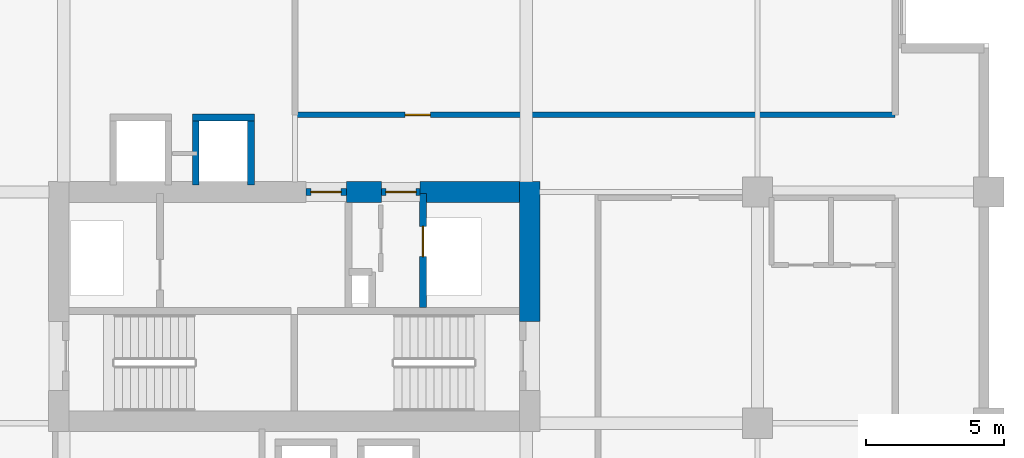
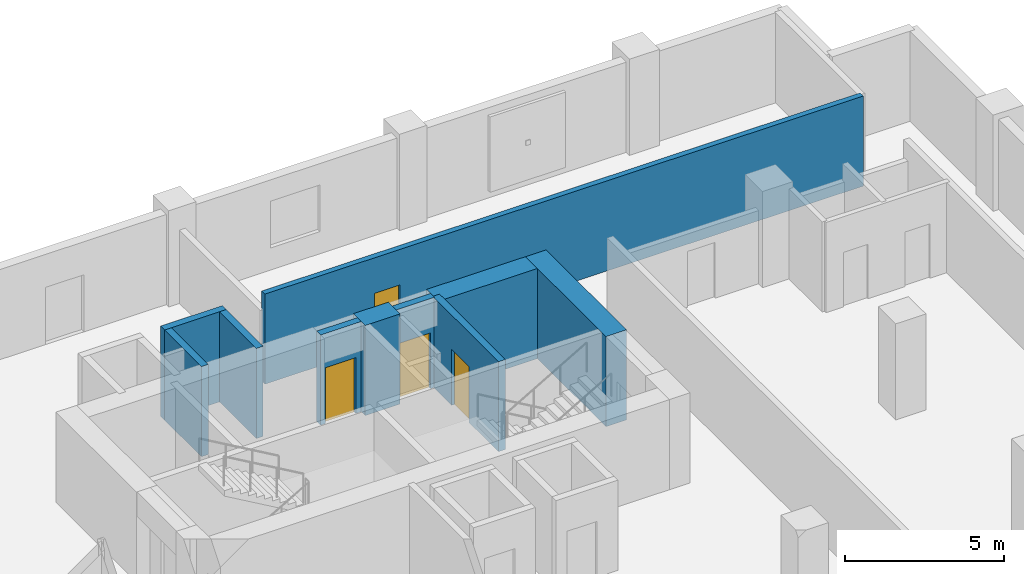
# One storey, part 9 of 20: 10 walls, 4 doors, 4 openings.
"""IFC4 building model written with IfcOpenShell, lengths in metres."""

from ifc_helpers import new_model, si_unit, direction, frame, frame_2d, origin, place, context, subcontext, project, spatial, rectangle, extrude, material, layer, layer_set, type_object, element, fill, save


model = new_model("IFC4")

# Units and contexts
model_context = context("Model", 3, precision=1e-05, world=origin(), true_north=direction((0.0, 1.0)))
body_context = subcontext(model_context, "Body", "Model", "MODEL_VIEW")
ifc_project = project(units=[si_unit("LENGTHUNIT", "METRE"), si_unit("AREAUNIT", "SQUARE_METRE"), si_unit("VOLUMEUNIT", "CUBIC_METRE"), si_unit("PLANEANGLEUNIT", "RADIAN"), si_unit("MASSUNIT", "GRAM", prefix="KILO")], contexts=[model_context])

# Site, building, storey
site_placement = place(None, origin())
site = spatial("IfcSite", under=ifc_project, at=site_placement, CompositionType="ELEMENT")
building_placement = place(site_placement, origin())
building = spatial("IfcBuilding", under=site, at=building_placement, Name="Koriwani Terraces Tower", CompositionType="ELEMENT")
storey_placement = place(building_placement, frame((0.0, 0.0, 175.39990234375)))
storey = spatial("IfcBuildingStorey", under=building, at=storey_placement, Name="L42", CompositionType="ELEMENT", Elevation=175.39990234375)

# Walls
ifc_material_1 = material(Name="Concrete C60/75", Category="concrete")
ifc_layer_1 = layer(ifc_material_1, 0.75, Name="Concrete C60/75")
ifc_layer_set_1 = layer_set([ifc_layer_1], Name="Concrete C60/75")
wall_type_1 = type_object("IfcWallType", Name="WALL_CORE_RC_750", PredefinedType="SHEAR", material=ifc_layer_set_1)
wall_1_placement = place(storey_placement, frame((58.925048828125, 20.5, 0.0), z_axis=(0.0, 0.0, 1.0), x_axis=(0.0, 1.0, 0.0)))
element("IfcWall", 1, at=wall_1_placement, inside=storey, type_object=wall_type_1, Name="L42 East Split Core Shear Wall E2", PredefinedType="SHEAR", context=body_context, shape_type="SweptSolid", body=[
    extrude(rectangle(XDim=5.074951171875, YDim=0.75, at=frame_2d((2.53759765625, 0.0))), origin(), (0.0, 0.0, 1.0), 3.47021484375),
])
wall_2_placement = place(storey_placement, frame((52.280029296875, 25.199951171875, 0.0), z_axis=(0.0, 0.0, 1.0), x_axis=(1.0, 0.0, 0.0)))
element("IfcWall", 2, at=wall_2_placement, inside=storey, type_object=wall_type_1, Name="L42 East Split Core Shear Wall N2", PredefinedType="SHEAR", context=body_context, shape_type="SweptSolid", body=[
    extrude(rectangle(XDim=1.27001953125, YDim=0.75, at=frame_2d((0.635009765625, 0.0))), origin(), (0.0, 0.0, 1.0), 3.47021484375),
])
wall_3_placement = place(storey_placement, frame((54.949951171875, 25.199951171875, 0.0), z_axis=(0.0, 0.0, 1.0), x_axis=(1.0, 0.0, 0.0)))
element("IfcWall", 3, at=wall_3_placement, inside=storey, type_object=wall_type_1, Name="L42 East Split Core Shear Wall N3", PredefinedType="SHEAR", context=body_context, shape_type="SweptSolid", body=[
    extrude(rectangle(XDim=3.60009765625, YDim=0.75, at=frame_2d((1.800048828125, 0.0))), origin(), (0.0, 0.0, 1.0), 3.47021484375),
])

# Wall, opening, door
ifc_material_2 = material(Name="Autoclaved Cellular Concrete Blockwork", Category="masonry")
ifc_layer_2 = layer(ifc_material_2, 0.199951171875, Name="Autoclaved Cellular Concrete Blockwork")
ifc_layer_set_2 = layer_set([ifc_layer_2], Name="Autoclaved Cellular Concrete Blockwork")
wall_type_2 = type_object("IfcWallType", Name="WALL_CORRIDOR_200", PredefinedType="PARTITIONING", material=ifc_layer_set_2)
wall_4_placement = place(storey_placement, frame((50.39990234375, 28.0, 0.0), z_axis=(0.0, 0.0, 1.0), x_axis=(1.0, 0.0, 0.0)))
wall_4 = element("IfcWall", 4, at=wall_4_placement, inside=storey, type_object=wall_type_2, Name="L42 Interior Wall WSEC-S-L42", PredefinedType="PARTITIONING", context=body_context, shape_type="SweptSolid", body=[
    extrude(rectangle(XDim=21.800048828125, YDim=0.199951171875, at=frame_2d((10.89990234375, 0.0))), origin(), (0.0, 0.0, 1.0), 3.47021484375),
])
opening_1_placement = place(wall_4_placement, frame((4.0, 0.0, 0.0)))
opening_1 = element("IfcOpeningElement", 5, at=opening_1_placement, cuts=wall_4, Name="Opening D-06", PredefinedType="OPENING", context=body_context, shape_type="SweptSolid", body=[
    extrude(rectangle(XDim=0.919921875, YDim=2.10009765625, at=frame_2d((0.4599609375, 1.050048828125))), frame((0.0, 0.10986328125, 0.0), z_axis=(0.0, -1.0, 0.0), x_axis=(1.0, 0.0, 0.0)), (0.0, 0.0, 1.0), 0.219970703125),
])
ifc_material_3 = material(Name="Architectural Oak Fire Door", Category="wood")
door_type_1 = type_object("IfcDoorType", Name="DOOR_ROOM_INT_920X2100", OperationType="NOTDEFINED", PredefinedType="DOOR", material=ifc_material_3)
door_1_placement = place(opening_1_placement, origin())
door_1 = element("IfcDoor", 6, at=door_1_placement, inside=storey, type_object=door_type_1, Name="L42 East Court Study Door", OperationType="SINGLE_SWING_LEFT", OverallHeight=2.10009765625, OverallWidth=0.919921875, PredefinedType="DOOR", context=body_context, shape_type="SweptSolid", body=[
    extrude(rectangle(XDim=0.919921875, YDim=2.10009765625, at=frame_2d((0.4599609375, 1.050048828125))), frame((0.0, 0.02490234375, 0.0), z_axis=(0.0, -1.0, 0.0), x_axis=(1.0, 0.0, 0.0)), (0.0, 0.0, 1.0), 0.050048828125),
])
fill(opening_1, door_1)

ifc_material_4 = material(Name="Concrete C40/50", Category="concrete")
ifc_layer_3 = layer(ifc_material_4, 0.25, Name="Concrete C40/50")
ifc_layer_set_3 = layer_set([ifc_layer_3], Name="Concrete C40/50")
wall_type_3 = type_object("IfcWallType", Name="WALL_SHAFT_RATED_250", PredefinedType="SOLIDWALL", material=ifc_layer_set_3)
wall_5_placement = place(storey_placement, frame((50.800048828125, 25.199951171875, 0.0), z_axis=(0.0, 0.0, 1.0), x_axis=(1.0, 0.0, 0.0)))
wall_5 = element("IfcWall", 7, at=wall_5_placement, inside=storey, type_object=wall_type_3, Name="L42 Interior Wall WIN-CE-L42-NP", PredefinedType="SOLIDWALL", context=body_context, shape_type="SweptSolid", body=[
    extrude(rectangle(XDim=1.47998046875, YDim=0.25, at=frame_2d((0.739990234375, 0.0))), origin(), (0.0, 0.0, 1.0), 3.47021484375),
])
opening_2_placement = place(wall_5_placement, frame((0.179931640625, 0.0, 0.0)))
opening_2 = element("IfcOpeningElement", 8, at=opening_2_placement, cuts=wall_5, Name="Opening D-03", PredefinedType="OPENING", context=body_context, shape_type="SweptSolid", body=[
    extrude(rectangle(XDim=1.10009765625, YDim=2.14990234375, at=frame_2d((0.550048828125, 1.074951171875))), frame((0.0, 0.135009765625, 0.0), z_axis=(0.0, -1.0, 0.0), x_axis=(1.0, 0.0, 0.0)), (0.0, 0.0, 1.0), 0.27001953125),
])
ifc_material_5 = material(Name="Steel ASTM A572 Grade 50", Category="steel")
door_type_2 = type_object("IfcDoorType", Name="DOOR_STAIR_FIRE_1100X2150", OperationType="NOTDEFINED", PredefinedType="DOOR", material=ifc_material_5)
door_2_placement = place(opening_2_placement, origin())
door_2 = element("IfcDoor", 9, at=door_2_placement, inside=storey, type_object=door_type_2, Name="L42 East Firefighting Lobby Door", OperationType="SINGLE_SWING_LEFT", OverallHeight=2.14990234375, OverallWidth=1.10009765625, PredefinedType="DOOR", context=body_context, shape_type="SweptSolid", body=[
    extrude(rectangle(XDim=1.10009765625, YDim=2.14990234375, at=frame_2d((0.550048828125, 1.074951171875))), frame((0.0, 0.02490234375, 0.0), z_axis=(0.0, -1.0, 0.0), x_axis=(1.0, 0.0, 0.0)), (0.0, 0.0, 1.0), 0.050048828125),
])
fill(opening_2, door_2)

wall_6_placement = place(storey_placement, frame((55.050048828125, 21.0, 0.0), z_axis=(0.0, 0.0, 1.0), x_axis=(0.0, 1.0, 0.0)))
wall_6 = element("IfcWall", 10, at=wall_6_placement, inside=storey, type_object=wall_type_3, Name="L42 Interior Wall WIN-CE-L42-SE", PredefinedType="SOLIDWALL", context=body_context, shape_type="SweptSolid", body=[
    extrude(rectangle(XDim=4.14990234375, YDim=0.25, at=frame_2d((2.074951171875, 0.0))), origin(), (0.0, 0.0, 1.0), 3.47021484375),
])
opening_3_placement = place(wall_6_placement, frame((1.85009765625, 0.0, 0.0)))
opening_3 = element("IfcOpeningElement", 11, at=opening_3_placement, cuts=wall_6, Name="Opening LD-01", PredefinedType="OPENING", context=body_context, shape_type="SweptSolid", body=[
    extrude(rectangle(XDim=1.10009765625, YDim=2.14990234375, at=frame_2d((0.550048828125, 1.074951171875))), frame((0.0, 0.135009765625, 0.0), z_axis=(0.0, -1.0, 0.0), x_axis=(1.0, 0.0, 0.0)), (0.0, 0.0, 1.0), 0.27001953125),
])
door_type_3 = type_object("IfcDoorType", Name="DOOR_LIFT_LANDING_1100X2200", OperationType="NOTDEFINED", PredefinedType="DOOR", material=ifc_material_5)
door_3_placement = place(opening_3_placement, origin())
door_3 = element("IfcDoor", 12, at=door_3_placement, inside=storey, type_object=door_type_3, Name="L42 Goods Lift SE-02 Landing Door", OperationType="SLIDING_TO_LEFT", OverallHeight=2.14990234375, OverallWidth=1.10009765625, PredefinedType="DOOR", context=body_context, shape_type="SweptSolid", body=[
    extrude(rectangle(XDim=1.10009765625, YDim=2.14990234375, at=frame_2d((0.550048828125, 1.074951171875))), frame((0.0, 0.02490234375, 0.0), z_axis=(0.0, -1.0, 0.0), x_axis=(1.0, 0.0, 0.0)), (0.0, 0.0, 1.0), 0.050048828125),
])
fill(opening_3, door_3)

wall_7_placement = place(storey_placement, frame((53.550048828125, 25.199951171875, 0.0), z_axis=(0.0, 0.0, 1.0), x_axis=(1.0, 0.0, 0.0)))
wall_7 = element("IfcWall", 13, at=wall_7_placement, inside=storey, type_object=wall_type_3, Name="L42 Interior Wall WIN-CE-L42-NP2", PredefinedType="SOLIDWALL", context=body_context, shape_type="SweptSolid", body=[
    extrude(rectangle(XDim=1.39990234375, YDim=0.25, at=frame_2d((0.699951171875, 0.0))), origin(), (0.0, 0.0, 1.0), 3.47021484375),
])
opening_4_placement = place(wall_7_placement, frame((0.14990234375, 0.0, 0.0)))
opening_4 = element("IfcOpeningElement", 14, at=opening_4_placement, cuts=wall_7, Name="Opening D-03", PredefinedType="OPENING", context=body_context, shape_type="SweptSolid", body=[
    extrude(rectangle(XDim=1.10009765625, YDim=2.14990234375, at=frame_2d((0.550048828125, 1.074951171875))), frame((0.0, 0.135009765625, 0.0), z_axis=(0.0, -1.0, 0.0), x_axis=(1.0, 0.0, 0.0)), (0.0, 0.0, 1.0), 0.27001953125),
])
door_4_placement = place(opening_4_placement, origin())
door_4 = element("IfcDoor", 15, at=door_4_placement, inside=storey, type_object=door_type_2, Name="L42 East Goods Lift Lobby Door", OperationType="SINGLE_SWING_RIGHT", OverallHeight=2.14990234375, OverallWidth=1.10009765625, PredefinedType="DOOR", context=body_context, shape_type="SweptSolid", body=[
    extrude(rectangle(XDim=1.10009765625, YDim=2.14990234375, at=frame_2d((0.550048828125, 1.074951171875))), frame((0.0, 0.02490234375, 0.0), z_axis=(0.0, -1.0, 0.0), x_axis=(1.0, 0.0, 0.0)), (0.0, 0.0, 1.0), 0.050048828125),
])
fill(opening_4, door_4)

# Walls
wall_8_placement = place(storey_placement, frame((46.675048828125, 27.89990234375, 0.0), z_axis=(0.0, 0.0, 1.0), x_axis=(1.0, 0.0, 0.0)))
element("IfcWall", 16, at=wall_8_placement, inside=storey, type_object=wall_type_3, Name="L42 Interior Wall WIN-LF-PE-H4-L42-F", PredefinedType="SOLIDWALL", context=body_context, shape_type="SweptSolid", body=[
    extrude(rectangle(XDim=2.25, YDim=0.25, at=frame_2d((1.125, 0.0))), origin(), (0.0, 0.0, 1.0), 3.47021484375),
])
for number, where, z_axis, x_axis, name in (
    (17, (46.800048828125, 25.449951171875, 0.0), (0.0, 0.0, 1.0), (0.0, 1.0, 0.0), "L42 Interior Wall WIN-LF-PE-H4-L42-W"),
    (18, (48.800048828125, 25.449951171875, 0.0), (0.0, 0.0, 1.0), (0.0, 1.0, 0.0), "L42 Interior Wall WIN-LF-PE-H4-L42-E"),
):
    element("IfcWall", number, at=place(storey_placement, frame(where, z_axis=z_axis, x_axis=x_axis)), inside=storey, type_object=wall_type_3, Name=name, PredefinedType="SOLIDWALL", context=body_context, shape_type="SweptSolid", body=[
        extrude(rectangle(XDim=2.324951171875, YDim=0.25, at=frame_2d((1.16259765625, 0.0))), origin(), (0.0, 0.0, 1.0), 3.47021484375),
    ])

save(model, "model.ifc")
